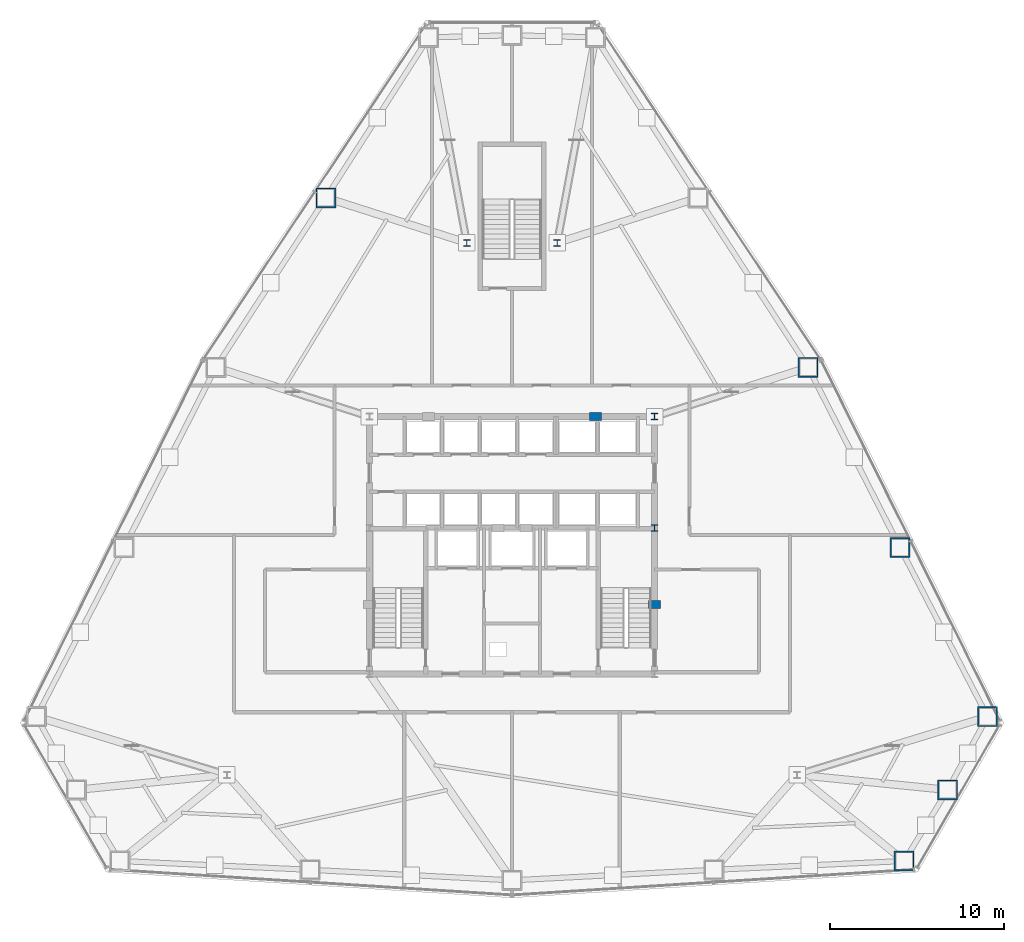
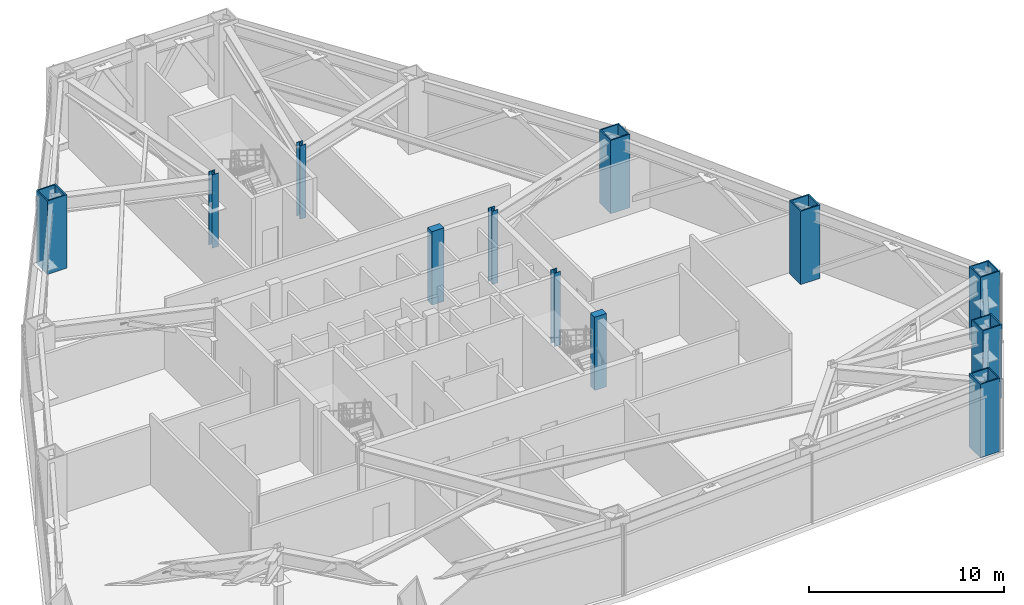
# One storey, part 2 of 12: 12 columns.
"""IFC4 building model written with IfcOpenShell, lengths in metres."""

from ifc_helpers import new_model, si_unit, direction, frame, origin, origin_2d, place, context, subcontext, project, spatial, rectangle, hollow_rectangle, i_section, extrude, material, material_profile, profile_set, type_object, element, save


model = new_model("IFC4")

# Units and contexts
model_context = context("Model", 3, precision=1e-05, world=origin(), true_north=direction((0.0, 1.0)))
body_context = subcontext(model_context, "Body", "Model", "MODEL_VIEW")
ifc_project = project(units=[si_unit("LENGTHUNIT", "METRE"), si_unit("AREAUNIT", "SQUARE_METRE"), si_unit("VOLUMEUNIT", "CUBIC_METRE"), si_unit("PLANEANGLEUNIT", "RADIAN"), si_unit("MASSUNIT", "GRAM", prefix="KILO")], contexts=[model_context])

# Site, building, storey
site_placement = place(None, origin())
site = spatial("IfcSite", under=ifc_project, at=site_placement, CompositionType="ELEMENT")
building_placement = place(site_placement, origin())
building = spatial("IfcBuilding", under=site, at=building_placement, Name="Varakhsha Concourse Tower", CompositionType="ELEMENT")
storey_placement = place(building_placement, frame((0.0, 0.0, 68.800048828125)))
storey = spatial("IfcBuildingStorey", under=building, at=storey_placement, Name="L19", CompositionType="ELEMENT", Elevation=68.800048828125)

# Columns
ifc_material_1 = material(Name="Structural Steel ASTM A992 Grade 50", Category="steel")
ifc_material_profile_1 = material_profile(ifc_material_1, i_section(OverallWidth=0.3740234375, OverallDepth=0.3720703125, WebThickness=0.01611328125, FlangeThickness=0.02587890625, at=origin_2d()), Name="W14X132")
ifc_profile_set_1 = profile_set([ifc_material_profile_1], Name="Structural Steel ASTM A992 Grade 50")
column_type_1 = type_object("IfcColumnType", Name="CL-CORE-W14X132", PredefinedType="COLUMN", material=ifc_profile_set_1)
for number, where, z_axis, x_axis, name in (
    (1, (48.199951171875, 24.800048828125, 0.0), (0.0, 0.0, 1.0), (1.0, 0.0, 0.0), "L19 Core Column CC-ME"),
    (2, (48.199951171875, 31.199951171875, 0.0), (0.0, 0.0, 1.0), (1.0, 0.0, 0.0), "L19 Core Column CC-NE"),
    (3, (37.39990234375, 41.199951171875, 0.0), (0.0, 0.0, 1.0), (1.0, 0.0, 0.0), "L19 Core Column NS-W"),
    (4, (42.60009765625, 41.199951171875, 0.0), (0.0, 0.0, 1.0), (1.0, 0.0, 0.0), "L19 Core Column NS-E"),
):
    element("IfcColumn", number, at=place(storey_placement, frame(where, z_axis=z_axis, x_axis=x_axis)), inside=storey, type_object=column_type_1, Name=name, PredefinedType="COLUMN", context=body_context, shape_type="SweptSolid", body=[
        extrude(i_section(OverallWidth=0.3740234375, OverallDepth=0.3720703125, WebThickness=0.01611328125, FlangeThickness=0.02587890625, at=origin_2d()), origin(), (0.0, 0.0, 1.0), 4.599853515625),
    ])
ifc_material_2 = material(Name="Concrete fc 65 MPa", Category="concrete")
ifc_material_profile_2 = material_profile(ifc_material_2, rectangle(XDim=0.699951171875, YDim=0.449951171875, at=origin_2d()), Name="RC 700x450")
ifc_profile_set_2 = profile_set([ifc_material_profile_2], Name="Concrete fc 65 MPa")
column_type_2 = type_object("IfcColumnType", Name="CL-PIL-700X450", PredefinedType="PILASTER", material=ifc_profile_set_2)
for number, where, z_axis, x_axis, name in (
    (5, (48.199951171875, 20.39990234375, 0.0), (0.0, 0.0, 1.0), (1.0, 0.0, 0.0), "L19 Core Boundary Pilaster PIL-E1"),
    (6, (44.800048828125, 31.199951171875, 0.0), (0.0, 0.0, 1.0), (1.0, 0.0, 0.0), "L19 Core Boundary Pilaster PIL-N2"),
):
    element("IfcColumn", number, at=place(storey_placement, frame(where, z_axis=z_axis, x_axis=x_axis)), inside=storey, type_object=column_type_2, Name=name, PredefinedType="PILASTER", context=body_context, shape_type="SweptSolid", body=[
        extrude(rectangle(XDim=0.699951171875, YDim=0.449951171875, at=origin_2d()), origin(), (0.0, 0.0, 1.0), 4.599853515625),
    ])
ifc_material_3 = material(Name="Structural Steel ASTM A572 Grade 50", Category="steel")
ifc_material_profile_3 = material_profile(ifc_material_3, hollow_rectangle(XDim=1.14990234375, YDim=1.14990234375, WallThickness=0.074951171875, at=origin_2d()), Name="BOX 1150x1150x75")
ifc_profile_set_3 = profile_set([ifc_material_profile_3], Name="Structural Steel ASTM A572 Grade 50")
column_type_3 = type_object("IfcColumnType", Name="CL-TUBE-1150", PredefinedType="COLUMN", material=ifc_profile_set_3)
for number, where, z_axis, x_axis, name in (
    (7, (29.298583984375, 43.7900390625, 0.0), (0.0, 0.0, 1.0), (1.0, 0.0, 0.0), "L19 Framed-Tube Column TC04"),
    (8, (62.5595703125, 5.642822265625, 0.0), (0.0, 0.0, 1.0), (1.0, 0.0, 0.0), "L19 Framed-Tube Column TC13"),
    (9, (65.0576171875, 9.73291015625, 0.0), (0.0, 0.0, 1.0), (1.0, 0.0, 0.0), "L19 Framed-Tube Column TC14"),
    (10, (67.3505859375, 13.94140625, 0.0), (0.0, 0.0, 1.0), (1.0, 0.0, 0.0), "L19 Framed-Tube Column TC15"),
    (11, (62.31640625, 23.672607421875, 0.0), (0.0, 0.0, 1.0), (1.0, 0.0, 0.0), "L19 Framed-Tube Column TC16"),
    (12, (57.034912109375, 34.03515625, 0.0), (0.0, 0.0, 1.0), (1.0, 0.0, 0.0), "L19 Framed-Tube Column TC17"),
):
    element("IfcColumn", number, at=place(storey_placement, frame(where, z_axis=z_axis, x_axis=x_axis)), inside=storey, type_object=column_type_3, Name=name, PredefinedType="COLUMN", context=body_context, shape_type="SweptSolid", body=[
        extrude(hollow_rectangle(XDim=1.14990234375, YDim=1.14990234375, WallThickness=0.074951171875, at=origin_2d()), origin(), (0.0, 0.0, 1.0), 4.599853515625),
    ])

save(model, "model.ifc")
